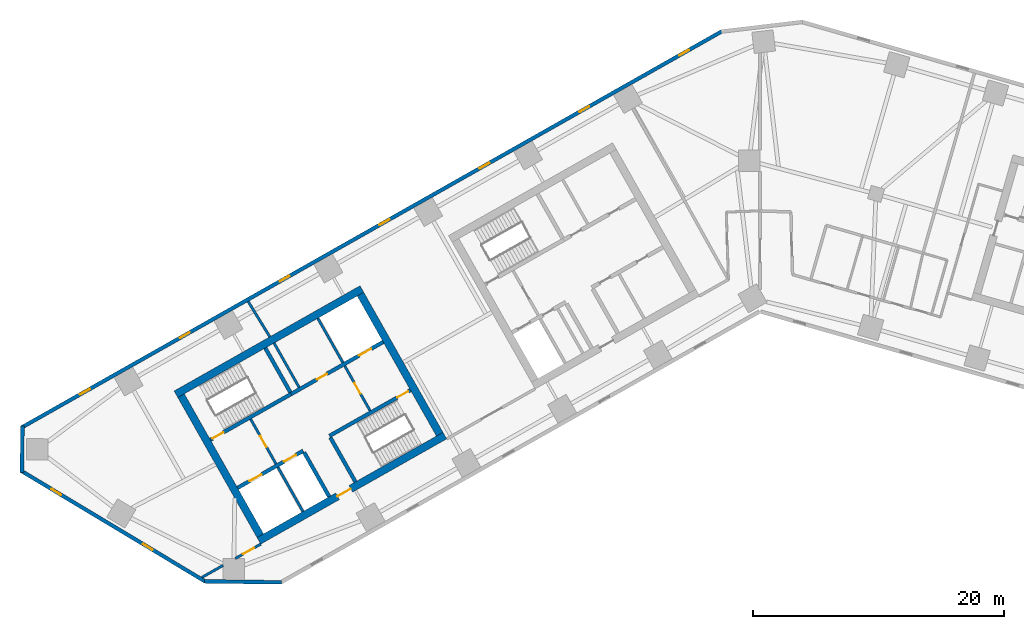
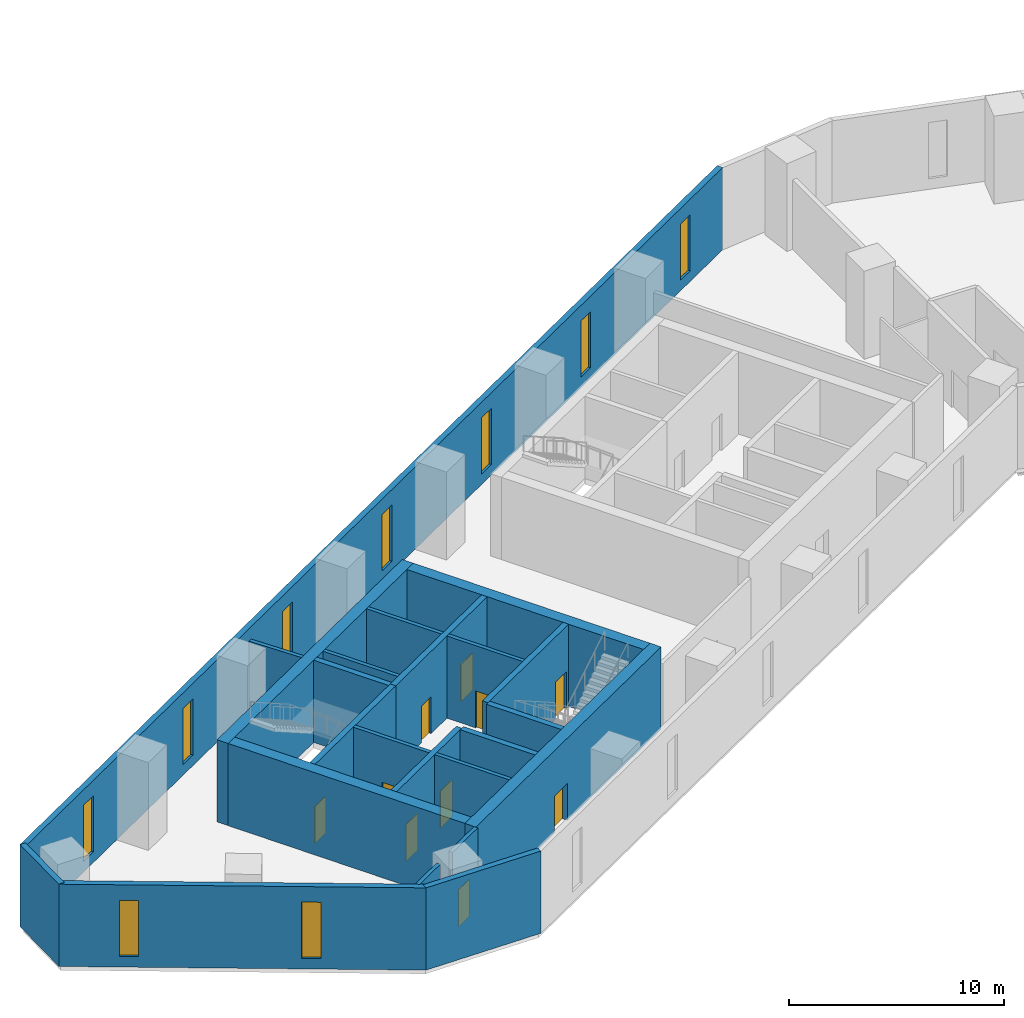
# One storey, part 3 of 10: 23 walls, 10 doors, 9 windows, 19 openings.
"""IFC4 building model written with IfcOpenShell, lengths in metres."""

from ifc_helpers import new_model, si_unit, direction, frame, frame_2d, origin, place, context, subcontext, project, spatial, rectangle, extrude, material, layer, layer_set, type_object, element, fill, save


model = new_model("IFC4")

# Units and contexts
model_context = context("Model", 3, precision=1e-05, world=origin(), true_north=direction((0.0, 1.0)))
body_context = subcontext(model_context, "Body", "Model", "MODEL_VIEW")
ifc_project = project(units=[si_unit("LENGTHUNIT", "METRE"), si_unit("AREAUNIT", "SQUARE_METRE"), si_unit("VOLUMEUNIT", "CUBIC_METRE"), si_unit("PLANEANGLEUNIT", "RADIAN"), si_unit("MASSUNIT", "GRAM", prefix="KILO")], contexts=[model_context])

# Site, building, storey
site_placement = place(None, origin())
site = spatial("IfcSite", under=ifc_project, at=site_placement, CompositionType="ELEMENT")
building_placement = place(site_placement, origin())
building = spatial("IfcBuilding", under=site, at=building_placement, Name="Binnacle Exchange Tower", CompositionType="ELEMENT")
storey_placement = place(building_placement, frame((0.0, 0.0, 61.5)))
storey = spatial("IfcBuildingStorey", under=building, at=storey_placement, Name="L12", CompositionType="ELEMENT", Elevation=61.5)

# Wall, openings, doors
ifc_material_1 = material(Name="Concrete C70/85", Category="concrete")
ifc_layer_1 = layer(ifc_material_1, 0.300048828125)
ifc_layer_set_1 = layer_set([ifc_layer_1], Name="Core wall - front 300")
wall_type_1 = type_object("IfcWallType", Name="Core wall - front 300", PredefinedType="SOLIDWALL", material=ifc_layer_set_1)
wall_1_placement = place(storey_placement, frame((-41.555908203125, 33.9609375, 0.0), z_axis=(0.0, 0.0, 1.0), x_axis=(0.870343731308, 0.492444706919, 0.0)))
wall_1 = element("IfcWall", 1, at=wall_1_placement, inside=storey, type_object=wall_type_1, Name="Core wall CRWA2", PredefinedType="SOLIDWALL", context=body_context, shape_type="SweptSolid", body=[
    extrude(rectangle(XDim=5.999755859375, YDim=0.300048828125, at=frame_2d((3.0, 0.0))), origin(), (0.0, 0.0, 1.0), 4.679931640625),
])
opening_1_placement = place(wall_1_placement, frame((1.099853515625, 0.0, 0.0)))
opening_1 = element("IfcOpeningElement", 2, at=opening_1_placement, cuts=wall_1, Name="Opening LD12", PredefinedType="OPENING", context=body_context, shape_type="SweptSolid", body=[
    extrude(rectangle(XDim=1.10009765625, YDim=2.10009765625, at=frame_2d((0.550048828125, 1.050048828125))), frame((0.0, 0.159912109375, 0.0), z_axis=(0.0, -1.0, 0.0), x_axis=(1.0, 0.0, 0.0)), (0.0, 0.0, 1.0), 0.320068359375),
])
opening_2_placement = place(wall_1_placement, frame((4.25, 0.0, 0.0)))
opening_2 = element("IfcOpeningElement", 3, at=opening_2_placement, cuts=wall_1, Name="Opening LD8", PredefinedType="OPENING", context=body_context, shape_type="SweptSolid", body=[
    extrude(rectangle(XDim=1.10009765625, YDim=2.10009765625, at=frame_2d((0.550048828125, 1.050048828125))), frame((0.0, 0.159912109375, 0.0), z_axis=(0.0, -1.0, 0.0), x_axis=(1.0, 0.0, 0.0)), (0.0, 0.0, 1.0), 0.320068359375),
])
ifc_material_2 = material(Name="Steel door leaf", Category="steel")
door_type_1 = type_object("IfcDoorType", Name="Fire door - lift landing 1100", OperationType="NOTDEFINED", PredefinedType="DOOR", material=ifc_material_2)
door_1_placement = place(opening_1_placement, origin())
door_1 = element("IfcDoor", 4, at=door_1_placement, inside=storey, type_object=door_type_1, Name="Landing door LD12 L12", OperationType="DOUBLE_DOOR_SLIDING", OverallHeight=2.10009765625, OverallWidth=1.10009765625, PredefinedType="DOOR", context=body_context, shape_type="SweptSolid", body=[
    extrude(rectangle(XDim=1.10009765625, YDim=2.10009765625, at=frame_2d((0.550048828125, 1.050048828125))), frame((0.0, 0.02490234375, 0.0), z_axis=(0.0, -1.0, 0.0), x_axis=(1.0, 0.0, 0.0)), (0.0, 0.0, 1.0), 0.050048828125),
])
fill(opening_1, door_1)
door_2_placement = place(opening_2_placement, origin())
door_2 = element("IfcDoor", 5, at=door_2_placement, inside=storey, type_object=door_type_1, Name="Landing door LD8 L12", OperationType="DOUBLE_DOOR_SLIDING", OverallHeight=2.10009765625, OverallWidth=1.10009765625, PredefinedType="DOOR", context=body_context, shape_type="SweptSolid", body=[
    extrude(rectangle(XDim=1.10009765625, YDim=2.10009765625, at=frame_2d((0.550048828125, 1.050048828125))), frame((0.0, 0.02490234375, 0.0), z_axis=(0.0, -1.0, 0.0), x_axis=(1.0, 0.0, 0.0)), (0.0, 0.0, 1.0), 0.050048828125),
])
fill(opening_2, door_2)

wall_2_placement = place(storey_placement, frame((-37.281982421875, 41.4345703125, 0.0), z_axis=(0.0, 0.0, 1.0), x_axis=(0.870356516133, 0.492422110414, 0.0)))
wall_2 = element("IfcWall", 6, at=wall_2_placement, inside=storey, type_object=wall_type_1, Name="Core wall CRWA5", PredefinedType="SOLIDWALL", context=body_context, shape_type="SweptSolid", body=[
    extrude(rectangle(XDim=8.399658203125, YDim=0.300048828125, at=frame_2d((4.19970703125, 0.0))), origin(), (0.0, 0.0, 1.0), 4.679931640625),
])
opening_3_placement = place(wall_2_placement, frame((6.199951171875, 0.0, 0.0)))
opening_3 = element("IfcOpeningElement", 7, at=opening_3_placement, cuts=wall_2, Name="Opening LD13", PredefinedType="OPENING", context=body_context, shape_type="SweptSolid", body=[
    extrude(rectangle(XDim=1.10009765625, YDim=2.10009765625, at=frame_2d((0.550048828125, 1.050048828125))), frame((0.0, 0.159912109375, 0.0), z_axis=(0.0, -1.0, 0.0), x_axis=(1.0, 0.0, 0.0)), (0.0, 0.0, 1.0), 0.320068359375),
])
opening_4_placement = place(wall_2_placement, frame((2.35009765625, 0.0, 0.0)))
opening_4 = element("IfcOpeningElement", 8, at=opening_4_placement, cuts=wall_2, Name="Opening DA10", PredefinedType="OPENING", context=body_context, shape_type="SweptSolid", body=[
    extrude(rectangle(XDim=0.89990234375, YDim=2.10009765625, at=frame_2d((0.449951171875, 1.050048828125))), frame((0.0, 0.159912109375, 0.0), z_axis=(0.0, -1.0, 0.0), x_axis=(1.0, 0.0, 0.0)), (0.0, 0.0, 1.0), 0.320068359375),
])
door_3_placement = place(opening_3_placement, origin())
door_3 = element("IfcDoor", 9, at=door_3_placement, inside=storey, type_object=door_type_1, Name="Landing door LD13 L12", OperationType="DOUBLE_DOOR_SLIDING", OverallHeight=2.10009765625, OverallWidth=1.10009765625, PredefinedType="DOOR", context=body_context, shape_type="SweptSolid", body=[
    extrude(rectangle(XDim=1.10009765625, YDim=2.10009765625, at=frame_2d((0.550048828125, 1.050048828125))), frame((0.0, 0.02490234375, 0.0), z_axis=(0.0, -1.0, 0.0), x_axis=(1.0, 0.0, 0.0)), (0.0, 0.0, 1.0), 0.050048828125),
])
fill(opening_3, door_3)
door_type_2 = type_object("IfcDoorType", Name="Fire door 900", OperationType="NOTDEFINED", PredefinedType="DOOR", material=ifc_material_2)
door_4_placement = place(opening_4_placement, origin())
door_4 = element("IfcDoor", 10, at=door_4_placement, inside=storey, type_object=door_type_2, Name="Core room door EQUIPMENT STORE", OperationType="SINGLE_SWING_LEFT", OverallHeight=2.10009765625, OverallWidth=0.89990234375, PredefinedType="DOOR", context=body_context, shape_type="SweptSolid", body=[
    extrude(rectangle(XDim=0.89990234375, YDim=2.10009765625, at=frame_2d((0.449951171875, 1.050048828125))), frame((0.0, 0.02490234375, 0.0), z_axis=(0.0, -1.0, 0.0), x_axis=(1.0, 0.0, 0.0)), (0.0, 0.0, 1.0), 0.050048828125),
])
fill(opening_4, door_4)

# Wall
wall_3_placement = place(storey_placement, frame((-36.260009765625, 36.784912109375, 0.0), z_axis=(0.0, 0.0, 1.0), x_axis=(0.492440575896, -0.870346068648, 0.0)))
element("IfcWall", 11, at=wall_3_placement, inside=storey, type_object=wall_type_1, Name="Core wall CRWA13", PredefinedType="SOLIDWALL", context=body_context, shape_type="SweptSolid", body=[
    extrude(rectangle(XDim=4.050048828125, YDim=0.300048828125, at=frame_2d((2.02490234375, 0.0))), origin(), (0.0, 0.0, 1.0), 4.679931640625),
])

# Wall, opening, door
ifc_layer_2 = layer(ifc_material_1, 0.60009765625)
ifc_layer_set_2 = layer_set([ifc_layer_2], Name="Core wall - outer 600")
wall_type_2 = type_object("IfcWallType", Name="Core wall - outer 600", PredefinedType="SOLIDWALL", material=ifc_layer_set_2)
wall_4_placement = place(storey_placement, frame((-39.8623046875, 29.748779296875, 0.0), z_axis=(0.0, 0.0, 1.0), x_axis=(0.870350116061, 0.492433422375, 0.0)))
wall_4 = element("IfcWall", 12, at=wall_4_placement, inside=storey, type_object=wall_type_2, Name="Core wall CRWA1", PredefinedType="SOLIDWALL", context=body_context, shape_type="SweptSolid", body=[
    extrude(rectangle(XDim=17.0, YDim=0.60009765625, at=frame_2d((8.5, 0.0))), origin(), (0.0, 0.0, 1.0), 4.679931640625),
])
opening_5_placement = place(wall_4_placement, frame((7.199951171875, 0.0, 0.0)))
opening_5 = element("IfcOpeningElement", 13, at=opening_5_placement, cuts=wall_4, Name="Opening DA7", PredefinedType="OPENING", context=body_context, shape_type="SweptSolid", body=[
    extrude(rectangle(XDim=1.199951171875, YDim=2.10009765625, at=frame_2d((0.60009765625, 1.050048828125))), frame((0.0, 0.31005859375, 0.0), z_axis=(0.0, -1.0, 0.0), x_axis=(1.0, 0.0, 0.0)), (0.0, 0.0, 1.0), 0.6201171875),
])
door_type_3 = type_object("IfcDoorType", Name="Fire door 1200", OperationType="NOTDEFINED", PredefinedType="DOOR", material=ifc_material_2)
door_5_placement = place(opening_5_placement, frame((1.199951171875, 0.0, 0.0), z_axis=(0.0, 0.0, 1.0), x_axis=(-1.0, 0.0, 0.0)))
door_5 = element("IfcDoor", 14, at=door_5_placement, inside=storey, type_object=door_type_3, Name="Lift lobby entrance door core A", OperationType="SINGLE_SWING_RIGHT", OverallHeight=2.10009765625, OverallWidth=1.199951171875, PredefinedType="DOOR", context=body_context, shape_type="SweptSolid", body=[
    extrude(rectangle(XDim=1.199951171875, YDim=2.10009765625, at=frame_2d((0.60009765625, 1.050048828125))), frame((0.0, 0.02490234375, 0.0), z_axis=(0.0, -1.0, 0.0), x_axis=(1.0, 0.0, 0.0)), (0.0, 0.0, 1.0), 0.050048828125),
])
fill(opening_5, door_5)

# Walls
wall_5_placement = place(storey_placement, frame((-46.460693359375, 41.41162109375, 0.0), z_axis=(0.0, 0.0, 1.0), x_axis=(0.870350116061, 0.492433422375, 0.0)))
element("IfcWall", 15, at=wall_5_placement, inside=storey, type_object=wall_type_2, Name="Core wall CRWA6", PredefinedType="SOLIDWALL", context=body_context, shape_type="SweptSolid", body=[
    extrude(rectangle(XDim=17.0, YDim=0.60009765625, at=frame_2d((8.5, 0.0))), origin(), (0.0, 0.0, 1.0), 4.679931640625),
])
for number, where, z_axis, x_axis, name in (
    (16, (-46.052001953125, 41.29833984375, 0.0), (0.0, 0.0, 1.0), (0.492418598281, -0.870358503186, 0.0), "Core wall CRWA7"),
    (17, (-31.7783203125, 49.3740234375, 0.0), (0.0, 0.0, 1.0), (0.492433046652, -0.870350328641, 0.0), "Core wall CRWA22"),
):
    element("IfcWall", number, at=place(storey_placement, frame(where, z_axis=z_axis, x_axis=x_axis)), inside=storey, type_object=wall_type_2, Name=name, PredefinedType="SOLIDWALL", context=body_context, shape_type="SweptSolid", body=[
        extrude(rectangle(XDim=12.800048828125, YDim=0.60009765625, at=frame_2d((6.39990234375, 0.0))), origin(), (0.0, 0.0, 1.0), 4.679931640625),
    ])

# Wall, opening, door
ifc_layer_3 = layer(ifc_material_1, 0.300048828125)
ifc_layer_set_3 = layer_set([ifc_layer_3], Name="Core wall - stair 300")
wall_type_3 = type_object("IfcWallType", Name="Core wall - stair 300", PredefinedType="SOLIDWALL", material=ifc_layer_set_3)
wall_6_placement = place(storey_placement, frame((-34.2451171875, 38.097412109375, 0.0), z_axis=(0.0, 0.0, 1.0), x_axis=(0.870364910201, 0.492407273597, 0.0)))
wall_6 = element("IfcWall", 18, at=wall_6_placement, inside=storey, type_object=wall_type_3, Name="Core wall CRWA3", PredefinedType="SOLIDWALL", context=body_context, shape_type="SweptSolid", body=[
    extrude(rectangle(XDim=7.39990234375, YDim=0.300048828125, at=frame_2d((3.699951171875, 0.0))), origin(), (0.0, 0.0, 1.0), 4.679931640625),
])
opening_6_placement = place(wall_6_placement, frame((6.199951171875, 0.0, 0.0)))
opening_6 = element("IfcOpeningElement", 19, at=opening_6_placement, cuts=wall_6, Name="Opening DA2", PredefinedType="OPENING", context=body_context, shape_type="SweptSolid", body=[
    extrude(rectangle(XDim=1.0, YDim=2.10009765625, at=frame_2d((0.5, 1.050048828125))), frame((0.0, 0.159912109375, 0.0), z_axis=(0.0, -1.0, 0.0), x_axis=(1.0, 0.0, 0.0)), (0.0, 0.0, 1.0), 0.320068359375),
])
door_type_4 = type_object("IfcDoorType", Name="Fire door 1000", OperationType="NOTDEFINED", PredefinedType="DOOR", material=ifc_material_2)
door_6_placement = place(opening_6_placement, frame((1.0, 0.0, 0.0), z_axis=(0.0, 0.0, 1.0), x_axis=(-1.0, 0.0, 0.0)))
door_6 = element("IfcDoor", 20, at=door_6_placement, inside=storey, type_object=door_type_4, Name="Stair door ST-A2", OperationType="SINGLE_SWING_LEFT", OverallHeight=2.10009765625, OverallWidth=1.0, PredefinedType="DOOR", context=body_context, shape_type="SweptSolid", body=[
    extrude(rectangle(XDim=1.0, YDim=2.10009765625, at=frame_2d((0.5, 1.050048828125))), frame((0.0, 0.02490234375, 0.0), z_axis=(0.0, -1.0, 0.0), x_axis=(1.0, 0.0, 0.0)), (0.0, 0.0, 1.0), 0.050048828125),
])
fill(opening_6, door_6)

wall_7_placement = place(storey_placement, frame((-43.72265625, 37.79052734375, 0.0), z_axis=(0.0, 0.0, 1.0), x_axis=(0.87035077051, 0.49243226567, 0.0)))
wall_7 = element("IfcWall", 21, at=wall_7_placement, inside=storey, type_object=wall_type_3, Name="Core wall CRWA4", PredefinedType="SOLIDWALL", context=body_context, shape_type="SweptSolid", body=[
    extrude(rectangle(XDim=7.400146484375, YDim=0.300048828125, at=frame_2d((3.7001953125, 0.0))), origin(), (0.0, 0.0, 1.0), 4.679931640625),
])
opening_7_placement = place(wall_7_placement, frame((0.199951171875, 0.0, 0.0)))
opening_7 = element("IfcOpeningElement", 22, at=opening_7_placement, cuts=wall_7, Name="Opening DA1", PredefinedType="OPENING", context=body_context, shape_type="SweptSolid", body=[
    extrude(rectangle(XDim=1.0, YDim=2.10009765625, at=frame_2d((0.5, 1.050048828125))), frame((0.0, 0.159912109375, 0.0), z_axis=(0.0, -1.0, 0.0), x_axis=(1.0, 0.0, 0.0)), (0.0, 0.0, 1.0), 0.320068359375),
])
door_7_placement = place(opening_7_placement, origin())
door_7 = element("IfcDoor", 23, at=door_7_placement, inside=storey, type_object=door_type_4, Name="Stair door ST-A1", OperationType="SINGLE_SWING_LEFT", OverallHeight=2.10009765625, OverallWidth=1.0, PredefinedType="DOOR", context=body_context, shape_type="SweptSolid", body=[
    extrude(rectangle(XDim=1.0, YDim=2.10009765625, at=frame_2d((0.5, 1.050048828125))), frame((0.0, 0.02490234375, 0.0), z_axis=(0.0, -1.0, 0.0), x_axis=(1.0, 0.0, 0.0)), (0.0, 0.0, 1.0), 0.050048828125),
])
fill(opening_7, door_7)

# Walls
wall_8_placement = place(storey_placement, frame((-39.350341796875, 45.090087890625, 0.0), z_axis=(0.0, 0.0, 1.0), x_axis=(0.49241474071, -0.870360685654, 0.0)))
element("IfcWall", 24, at=wall_8_placement, inside=storey, type_object=wall_type_3, Name="Core wall CRWA14", PredefinedType="SOLIDWALL", context=body_context, shape_type="SweptSolid", body=[
    extrude(rectangle(XDim=4.05029296875, YDim=0.300048828125, at=frame_2d((2.025146484375, 0.0))), origin(), (0.0, 0.0, 1.0), 4.679931640625),
])
wall_9_placement = place(storey_placement, frame((-34.171142578125, 37.966796875, 0.0), z_axis=(0.0, 0.0, 1.0), x_axis=(0.492394910396, -0.870371904542, 0.0)))
element("IfcWall", 25, at=wall_9_placement, inside=storey, type_object=wall_type_3, Name="Core wall CRWA16", PredefinedType="SOLIDWALL", context=body_context, shape_type="SweptSolid", body=[
    extrude(rectangle(XDim=4.0498046875, YDim=0.300048828125, at=frame_2d((2.02490234375, 0.0))), origin(), (0.0, 0.0, 1.0), 4.679931640625),
])

# Wall, openings, windows
ifc_material_3 = material(Name="Bronze aluminium cladding", Category="aluminium")
ifc_layer_4 = layer(ifc_material_3, 0.300048828125)
ifc_layer_set_4 = layer_set([ifc_layer_4], Name="External wall - spandrel 300")
wall_type_4 = type_object("IfcWallType", Name="External wall - spandrel 300", PredefinedType="STANDARD", material=ifc_layer_set_4)
wall_10_placement = place(storey_placement, frame((-58.744873046875, 38.763671875, 0.0), z_axis=(0.0, 0.0, 1.0), x_axis=(0.870355811726, 0.492423355453, 0.0)))
wall_10 = element("IfcWall", 26, at=wall_10_placement, inside=storey, type_object=wall_type_4, Name="External wall EW-F03 L12", PredefinedType="STANDARD", context=body_context, shape_type="SweptSolid", body=[
    extrude(rectangle(XDim=64.025390625, YDim=0.300048828125, at=frame_2d((32.0126953125, 0.0))), origin(), (0.0, 0.0, 1.0), 4.679931640625),
])
opening_8_placement = place(wall_10_placement, frame((60.12158203125, 0.0, 0.60009765625)))
opening_8 = element("IfcOpeningElement", 27, at=opening_8_placement, cuts=wall_10, Name="Opening WS1", PredefinedType="OPENING", context=body_context, shape_type="SweptSolid", body=[
    extrude(rectangle(XDim=0.89990234375, YDim=3.199951171875, at=frame_2d((0.449951171875, 1.60009765625))), frame((0.0, 0.159912109375, 0.0), z_axis=(0.0, -1.0, 0.0), x_axis=(1.0, 0.0, 0.0)), (0.0, 0.0, 1.0), 0.320068359375),
])
opening_9_placement = place(wall_10_placement, frame((50.99169921875, 0.0, 0.60009765625)))
opening_9 = element("IfcOpeningElement", 28, at=opening_9_placement, cuts=wall_10, Name="Opening WS1", PredefinedType="OPENING", context=body_context, shape_type="SweptSolid", body=[
    extrude(rectangle(XDim=0.89990234375, YDim=3.199951171875, at=frame_2d((0.449951171875, 1.60009765625))), frame((0.0, 0.159912109375, 0.0), z_axis=(0.0, -1.0, 0.0), x_axis=(1.0, 0.0, 0.0)), (0.0, 0.0, 1.0), 0.320068359375),
])
opening_10_placement = place(wall_10_placement, frame((41.86181640625, 0.0, 0.60009765625)))
opening_10 = element("IfcOpeningElement", 29, at=opening_10_placement, cuts=wall_10, Name="Opening WS1", PredefinedType="OPENING", context=body_context, shape_type="SweptSolid", body=[
    extrude(rectangle(XDim=0.89990234375, YDim=3.199951171875, at=frame_2d((0.449951171875, 1.60009765625))), frame((0.0, 0.159912109375, 0.0), z_axis=(0.0, -1.0, 0.0), x_axis=(1.0, 0.0, 0.0)), (0.0, 0.0, 1.0), 0.320068359375),
])
opening_11_placement = place(wall_10_placement, frame((32.73193359375, 0.0, 0.60009765625)))
opening_11 = element("IfcOpeningElement", 30, at=opening_11_placement, cuts=wall_10, Name="Opening WS1", PredefinedType="OPENING", context=body_context, shape_type="SweptSolid", body=[
    extrude(rectangle(XDim=0.89990234375, YDim=3.199951171875, at=frame_2d((0.449951171875, 1.60009765625))), frame((0.0, 0.159912109375, 0.0), z_axis=(0.0, -1.0, 0.0), x_axis=(1.0, 0.0, 0.0)), (0.0, 0.0, 1.0), 0.320068359375),
])
opening_12_placement = place(wall_10_placement, frame((23.60205078125, 0.0, 0.60009765625)))
opening_12 = element("IfcOpeningElement", 31, at=opening_12_placement, cuts=wall_10, Name="Opening WS1", PredefinedType="OPENING", context=body_context, shape_type="SweptSolid", body=[
    extrude(rectangle(XDim=0.89990234375, YDim=3.199951171875, at=frame_2d((0.449951171875, 1.60009765625))), frame((0.0, 0.159912109375, 0.0), z_axis=(0.0, -1.0, 0.0), x_axis=(1.0, 0.0, 0.0)), (0.0, 0.0, 1.0), 0.320068359375),
])
opening_13_placement = place(wall_10_placement, frame((14.47216796875, 0.0, 0.60009765625)))
opening_13 = element("IfcOpeningElement", 32, at=opening_13_placement, cuts=wall_10, Name="Opening WS1", PredefinedType="OPENING", context=body_context, shape_type="SweptSolid", body=[
    extrude(rectangle(XDim=0.89990234375, YDim=3.199951171875, at=frame_2d((0.449951171875, 1.60009765625))), frame((0.0, 0.159912109375, 0.0), z_axis=(0.0, -1.0, 0.0), x_axis=(1.0, 0.0, 0.0)), (0.0, 0.0, 1.0), 0.320068359375),
])
opening_14_placement = place(wall_10_placement, frame((5.34228515625, 0.0, 0.60009765625)))
opening_14 = element("IfcOpeningElement", 33, at=opening_14_placement, cuts=wall_10, Name="Opening WS1", PredefinedType="OPENING", context=body_context, shape_type="SweptSolid", body=[
    extrude(rectangle(XDim=0.89990234375, YDim=3.199951171875, at=frame_2d((0.449951171875, 1.60009765625))), frame((0.0, 0.159912109375, 0.0), z_axis=(0.0, -1.0, 0.0), x_axis=(1.0, 0.0, 0.0)), (0.0, 0.0, 1.0), 0.320068359375),
])
ifc_material_4 = material(Name="Bronze anodised aluminium frame", Category="aluminium")
window_type = type_object("IfcWindowType", Name="WS1 WINDOW 900x3200", PartitioningType="SINGLE_PANEL", PredefinedType="WINDOW", material=ifc_material_4)
window_1_placement = place(opening_8_placement, origin())
window_1 = element("IfcWindow", 34, at=window_1_placement, inside=storey, type_object=window_type, Name="Window WS1 L12", OverallHeight=3.199951171875, OverallWidth=0.89990234375, PartitioningType="SINGLE_PANEL", PredefinedType="WINDOW", context=body_context, shape_type="SweptSolid", body=[
    extrude(rectangle(XDim=0.89990234375, YDim=3.199951171875, at=frame_2d((0.449951171875, 1.60009765625))), frame((0.0, 0.030029296875, 0.0), z_axis=(0.0, -1.0, 0.0), x_axis=(1.0, 0.0, 0.0)), (0.0, 0.0, 1.0), 0.06005859375),
])
fill(opening_8, window_1)
window_2_placement = place(opening_9_placement, origin())
window_2 = element("IfcWindow", 35, at=window_2_placement, inside=storey, type_object=window_type, Name="Window WS1 L12", OverallHeight=3.199951171875, OverallWidth=0.89990234375, PartitioningType="SINGLE_PANEL", PredefinedType="WINDOW", context=body_context, shape_type="SweptSolid", body=[
    extrude(rectangle(XDim=0.89990234375, YDim=3.199951171875, at=frame_2d((0.449951171875, 1.60009765625))), frame((0.0, 0.030029296875, 0.0), z_axis=(0.0, -1.0, 0.0), x_axis=(1.0, 0.0, 0.0)), (0.0, 0.0, 1.0), 0.06005859375),
])
fill(opening_9, window_2)
window_3_placement = place(opening_10_placement, origin())
window_3 = element("IfcWindow", 36, at=window_3_placement, inside=storey, type_object=window_type, Name="Window WS1 L12", OverallHeight=3.199951171875, OverallWidth=0.89990234375, PartitioningType="SINGLE_PANEL", PredefinedType="WINDOW", context=body_context, shape_type="SweptSolid", body=[
    extrude(rectangle(XDim=0.89990234375, YDim=3.199951171875, at=frame_2d((0.449951171875, 1.60009765625))), frame((0.0, 0.030029296875, 0.0), z_axis=(0.0, -1.0, 0.0), x_axis=(1.0, 0.0, 0.0)), (0.0, 0.0, 1.0), 0.06005859375),
])
fill(opening_10, window_3)
window_4_placement = place(opening_11_placement, origin())
window_4 = element("IfcWindow", 37, at=window_4_placement, inside=storey, type_object=window_type, Name="Window WS1 L12", OverallHeight=3.199951171875, OverallWidth=0.89990234375, PartitioningType="SINGLE_PANEL", PredefinedType="WINDOW", context=body_context, shape_type="SweptSolid", body=[
    extrude(rectangle(XDim=0.89990234375, YDim=3.199951171875, at=frame_2d((0.449951171875, 1.60009765625))), frame((0.0, 0.030029296875, 0.0), z_axis=(0.0, -1.0, 0.0), x_axis=(1.0, 0.0, 0.0)), (0.0, 0.0, 1.0), 0.06005859375),
])
fill(opening_11, window_4)
window_5_placement = place(opening_12_placement, origin())
window_5 = element("IfcWindow", 38, at=window_5_placement, inside=storey, type_object=window_type, Name="Window WS1 L12", OverallHeight=3.199951171875, OverallWidth=0.89990234375, PartitioningType="SINGLE_PANEL", PredefinedType="WINDOW", context=body_context, shape_type="SweptSolid", body=[
    extrude(rectangle(XDim=0.89990234375, YDim=3.199951171875, at=frame_2d((0.449951171875, 1.60009765625))), frame((0.0, 0.030029296875, 0.0), z_axis=(0.0, -1.0, 0.0), x_axis=(1.0, 0.0, 0.0)), (0.0, 0.0, 1.0), 0.06005859375),
])
fill(opening_12, window_5)
window_6_placement = place(opening_13_placement, origin())
window_6 = element("IfcWindow", 39, at=window_6_placement, inside=storey, type_object=window_type, Name="Window WS1 L12", OverallHeight=3.199951171875, OverallWidth=0.89990234375, PartitioningType="SINGLE_PANEL", PredefinedType="WINDOW", context=body_context, shape_type="SweptSolid", body=[
    extrude(rectangle(XDim=0.89990234375, YDim=3.199951171875, at=frame_2d((0.449951171875, 1.60009765625))), frame((0.0, 0.030029296875, 0.0), z_axis=(0.0, -1.0, 0.0), x_axis=(1.0, 0.0, 0.0)), (0.0, 0.0, 1.0), 0.06005859375),
])
fill(opening_13, window_6)
window_7_placement = place(opening_14_placement, origin())
window_7 = element("IfcWindow", 40, at=window_7_placement, inside=storey, type_object=window_type, Name="Window WS1 L12", OverallHeight=3.199951171875, OverallWidth=0.89990234375, PartitioningType="SINGLE_PANEL", PredefinedType="WINDOW", context=body_context, shape_type="SweptSolid", body=[
    extrude(rectangle(XDim=0.89990234375, YDim=3.199951171875, at=frame_2d((0.449951171875, 1.60009765625))), frame((0.0, 0.030029296875, 0.0), z_axis=(0.0, -1.0, 0.0), x_axis=(1.0, 0.0, 0.0)), (0.0, 0.0, 1.0), 0.06005859375),
])
fill(opening_14, window_7)

# Wall
wall_11_placement = place(storey_placement, frame((-58.717041015625, 35.19384765625, 0.0), z_axis=(0.0, 0.0, 1.0), x_axis=(0.013069053407, 0.999914596275, 0.0)))
element("IfcWall", 41, at=wall_11_placement, inside=storey, type_object=wall_type_4, Name="External wall EW-F04 L12", PredefinedType="STANDARD", context=body_context, shape_type="SweptSolid", body=[
    extrude(rectangle(XDim=3.69873046875, YDim=0.300048828125, at=frame_2d((1.849365234375, 0.0))), origin(), (0.0, 0.0, 1.0), 4.679931640625),
])

# Wall, openings, windows
wall_12_placement = place(storey_placement, frame((-44.109375, 26.503662109375, 0.0), z_axis=(0.0, 0.0, 1.0), x_axis=(-0.857169502585, 0.515034410344, 0.0)))
wall_12 = element("IfcWall", 42, at=wall_12_placement, inside=storey, type_object=wall_type_4, Name="External wall EW-F05 L12", PredefinedType="STANDARD", context=body_context, shape_type="SweptSolid", body=[
    extrude(rectangle(XDim=17.126708984375, YDim=0.300048828125, at=frame_2d((8.5634765625, 0.0))), origin(), (0.0, 0.0, 1.0), 4.679931640625),
])
opening_15_placement = place(wall_12_placement, frame((13.403076171875, 0.0, 0.60009765625)))
opening_15 = element("IfcOpeningElement", 43, at=opening_15_placement, cuts=wall_12, Name="Opening WS1", PredefinedType="OPENING", context=body_context, shape_type="SweptSolid", body=[
    extrude(rectangle(XDim=0.89990234375, YDim=3.199951171875, at=frame_2d((0.449951171875, 1.60009765625))), frame((0.0, 0.159912109375, 0.0), z_axis=(0.0, -1.0, 0.0), x_axis=(1.0, 0.0, 0.0)), (0.0, 0.0, 1.0), 0.320068359375),
])
opening_16_placement = place(wall_12_placement, frame((4.903076171875, 0.0, 0.60009765625)))
opening_16 = element("IfcOpeningElement", 44, at=opening_16_placement, cuts=wall_12, Name="Opening WS1", PredefinedType="OPENING", context=body_context, shape_type="SweptSolid", body=[
    extrude(rectangle(XDim=0.89990234375, YDim=3.199951171875, at=frame_2d((0.449951171875, 1.60009765625))), frame((0.0, 0.159912109375, 0.0), z_axis=(0.0, -1.0, 0.0), x_axis=(1.0, 0.0, 0.0)), (0.0, 0.0, 1.0), 0.320068359375),
])
window_8_placement = place(opening_15_placement, origin())
window_8 = element("IfcWindow", 45, at=window_8_placement, inside=storey, type_object=window_type, Name="Window WS1 L12", OverallHeight=3.199951171875, OverallWidth=0.89990234375, PartitioningType="SINGLE_PANEL", PredefinedType="WINDOW", context=body_context, shape_type="SweptSolid", body=[
    extrude(rectangle(XDim=0.89990234375, YDim=3.199951171875, at=frame_2d((0.449951171875, 1.60009765625))), frame((0.0, 0.030029296875, 0.0), z_axis=(0.0, -1.0, 0.0), x_axis=(1.0, 0.0, 0.0)), (0.0, 0.0, 1.0), 0.06005859375),
])
fill(opening_15, window_8)
window_9_placement = place(opening_16_placement, origin())
window_9 = element("IfcWindow", 46, at=window_9_placement, inside=storey, type_object=window_type, Name="Window WS1 L12", OverallHeight=3.199951171875, OverallWidth=0.89990234375, PartitioningType="SINGLE_PANEL", PredefinedType="WINDOW", context=body_context, shape_type="SweptSolid", body=[
    extrude(rectangle(XDim=0.89990234375, YDim=3.199951171875, at=frame_2d((0.449951171875, 1.60009765625))), frame((0.0, 0.030029296875, 0.0), z_axis=(0.0, -1.0, 0.0), x_axis=(1.0, 0.0, 0.0)), (0.0, 0.0, 1.0), 0.06005859375),
])
fill(opening_16, window_9)

# Walls
wall_13_placement = place(storey_placement, frame((-38.057373046875, 26.44482421875, 0.0), z_axis=(0.0, 0.0, 1.0), x_axis=(-0.999914086342, 0.013108010296, 0.0)))
element("IfcWall", 47, at=wall_13_placement, inside=storey, type_object=wall_type_4, Name="External wall EW-F06 L12", PredefinedType="STANDARD", context=body_context, shape_type="SweptSolid", body=[
    extrude(rectangle(XDim=6.127685546875, YDim=0.300048828125, at=frame_2d((3.06396484375, 0.0))), origin(), (0.0, 0.0, 1.0), 4.679931640625),
])
ifc_material_5 = material(Name="Masonry block wall", Category="masonry")
ifc_layer_5 = layer(ifc_material_5, 0.199951171875)
ifc_layer_set_5 = layer_set([ifc_layer_5], Name="Fire wall - block 200")
wall_type_5 = type_object("IfcWallType", Name="Fire wall - block 200", PredefinedType="PARTITIONING", material=ifc_layer_set_5)
wall_14_placement = place(storey_placement, frame((-44.385986328125, 26.844970703125, 0.0), z_axis=(0.0, 0.0, 1.0), x_axis=(0.870226201187, 0.492652371118, 0.0)))
element("IfcWall", 48, at=wall_14_placement, inside=storey, type_object=wall_type_5, Name="Partition W01", PredefinedType="PARTITIONING", context=body_context, shape_type="SweptSolid", body=[
    extrude(rectangle(XDim=1.9326171875, YDim=0.199951171875, at=frame_2d((0.96630859375, 0.0))), origin(), (0.0, 0.0, 1.0), 4.679931640625),
])

# Wall, opening, door
wall_15_placement = place(storey_placement, frame((-41.738037109375, 28.343017578125, 0.0), z_axis=(0.0, 0.0, 1.0), x_axis=(0.870265350095, 0.492583211676, 0.0)))
wall_15 = element("IfcWall", 49, at=wall_15_placement, inside=storey, type_object=wall_type_5, Name="Partition W02", PredefinedType="PARTITIONING", context=body_context, shape_type="SweptSolid", body=[
    extrude(rectangle(XDim=2.324462890625, YDim=0.199951171875, at=frame_2d((1.162109375, 0.0))), origin(), (0.0, 0.0, 1.0), 4.679931640625),
])
opening_17_placement = place(wall_15_placement, frame((0.699951171875, 0.0, 0.0)))
opening_17 = element("IfcOpeningElement", 50, at=opening_17_placement, cuts=wall_15, Name="Opening DL11-01", PredefinedType="OPENING", context=body_context, shape_type="SweptSolid", body=[
    extrude(rectangle(XDim=1.0, YDim=2.10009765625, at=frame_2d((0.5, 1.050048828125))), frame((0.0, 0.10986328125, 0.0), z_axis=(0.0, -1.0, 0.0), x_axis=(1.0, 0.0, 0.0)), (0.0, 0.0, 1.0), 0.219970703125),
])
door_8_placement = place(opening_17_placement, origin())
door_8 = element("IfcDoor", 51, at=door_8_placement, inside=storey, type_object=door_type_4, Name="Door DL11-01", OperationType="SINGLE_SWING_RIGHT", OverallHeight=2.10009765625, OverallWidth=1.0, PredefinedType="DOOR", context=body_context, shape_type="SweptSolid", body=[
    extrude(rectangle(XDim=1.0, YDim=2.10009765625, at=frame_2d((0.5, 1.050048828125))), frame((0.0, 0.02490234375, 0.0), z_axis=(0.0, -1.0, 0.0), x_axis=(1.0, 0.0, 0.0)), (0.0, 0.0, 1.0), 0.050048828125),
])
fill(opening_17, door_8)

# Wall
wall_16_placement = place(storey_placement, frame((-40.712890625, 48.7939453125, 0.0), z_axis=(0.0, 0.0, 1.0), x_axis=(0.52165366254, -0.853157345604, 0.0)))
element("IfcWall", 52, at=wall_16_placement, inside=storey, type_object=wall_type_5, Name="Partition W03", PredefinedType="PARTITIONING", context=body_context, shape_type="SweptSolid", body=[
    extrude(rectangle(XDim=3.297119140625, YDim=0.199951171875, at=frame_2d((1.6484375, 0.0))), origin(), (0.0, 0.0, 1.0), 3.9599609375),
])

# Wall, opening, door
ifc_layer_6 = layer(ifc_material_5, 0.199951171875)
ifc_layer_set_6 = layer_set([ifc_layer_6], Name="Fire wall - vestibule 200")
wall_type_6 = type_object("IfcWallType", Name="Fire wall - vestibule 200", PredefinedType="PARTITIONING", material=ifc_layer_set_6)
wall_17_placement = place(storey_placement, frame((-40.515625, 39.4326171875, 0.0), z_axis=(0.0, 0.0, 1.0), x_axis=(0.492453559952, -0.87033872216, 0.0)))
wall_17 = element("IfcWall", 53, at=wall_17_placement, inside=storey, type_object=wall_type_6, Name="Core wall CRWA10", PredefinedType="PARTITIONING", context=body_context, shape_type="SweptSolid", body=[
    extrude(rectangle(XDim=4.099853515625, YDim=0.199951171875, at=frame_2d((2.0498046875, 0.0))), origin(), (0.0, 0.0, 1.0), 4.679931640625),
])
opening_18_placement = place(wall_17_placement, frame((1.550048828125, 0.0, 0.0)))
opening_18 = element("IfcOpeningElement", 54, at=opening_18_placement, cuts=wall_17, Name="Opening DA3", PredefinedType="OPENING", context=body_context, shape_type="SweptSolid", body=[
    extrude(rectangle(XDim=1.0, YDim=2.10009765625, at=frame_2d((0.5, 1.050048828125))), frame((0.0, 0.10986328125, 0.0), z_axis=(0.0, -1.0, 0.0), x_axis=(1.0, 0.0, 0.0)), (0.0, 0.0, 1.0), 0.219970703125),
])
door_9_placement = place(opening_18_placement, frame((1.0, 0.0, 0.0), z_axis=(0.0, 0.0, 1.0), x_axis=(-1.0, 0.0, 0.0)))
door_9 = element("IfcDoor", 55, at=door_9_placement, inside=storey, type_object=door_type_4, Name="Vestibule door VEST-W", OperationType="SINGLE_SWING_LEFT", OverallHeight=2.10009765625, OverallWidth=1.0, PredefinedType="DOOR", context=body_context, shape_type="SweptSolid", body=[
    extrude(rectangle(XDim=1.0, YDim=2.10009765625, at=frame_2d((0.5, 1.050048828125))), frame((0.0, 0.02490234375, 0.0), z_axis=(0.0, -1.0, 0.0), x_axis=(1.0, 0.0, 0.0)), (0.0, 0.0, 1.0), 0.050048828125),
])
fill(opening_18, door_9)

wall_18_placement = place(storey_placement, frame((-33.030517578125, 43.66748046875, 0.0), z_axis=(0.0, 0.0, 1.0), x_axis=(0.492408451753, -0.87036424366, 0.0)))
wall_18 = element("IfcWall", 56, at=wall_18_placement, inside=storey, type_object=wall_type_6, Name="Core wall CRWA19", PredefinedType="PARTITIONING", context=body_context, shape_type="SweptSolid", body=[
    extrude(rectangle(XDim=4.099853515625, YDim=0.199951171875, at=frame_2d((2.0498046875, 0.0))), origin(), (0.0, 0.0, 1.0), 4.679931640625),
])
opening_19_placement = place(wall_18_placement, frame((1.550048828125, 0.0, 0.0)))
opening_19 = element("IfcOpeningElement", 57, at=opening_19_placement, cuts=wall_18, Name="Opening DA4", PredefinedType="OPENING", context=body_context, shape_type="SweptSolid", body=[
    extrude(rectangle(XDim=1.0, YDim=2.10009765625, at=frame_2d((0.5, 1.050048828125))), frame((0.0, 0.10986328125, 0.0), z_axis=(0.0, -1.0, 0.0), x_axis=(1.0, 0.0, 0.0)), (0.0, 0.0, 1.0), 0.219970703125),
])
door_10_placement = place(opening_19_placement, origin())
door_10 = element("IfcDoor", 58, at=door_10_placement, inside=storey, type_object=door_type_4, Name="Vestibule door VEST-E", OperationType="SINGLE_SWING_RIGHT", OverallHeight=2.10009765625, OverallWidth=1.0, PredefinedType="DOOR", context=body_context, shape_type="SweptSolid", body=[
    extrude(rectangle(XDim=1.0, YDim=2.10009765625, at=frame_2d((0.5, 1.050048828125))), frame((0.0, 0.02490234375, 0.0), z_axis=(0.0, -1.0, 0.0), x_axis=(1.0, 0.0, 0.0)), (0.0, 0.0, 1.0), 0.050048828125),
])
fill(opening_19, door_10)

# Walls
ifc_layer_7 = layer(ifc_material_5, 0.199951171875)
ifc_layer_set_7 = layer_set([ifc_layer_7], Name="Riser wall 200")
wall_type_7 = type_object("IfcWallType", Name="Riser wall 200", PredefinedType="SOLIDWALL", material=ifc_layer_set_7)
wall_19_placement = place(storey_placement, frame((-38.654052734375, 45.48388671875, 0.0), z_axis=(0.0, 0.0, 1.0), x_axis=(0.492440575896, -0.870346068648, 0.0)))
element("IfcWall", 59, at=wall_19_placement, inside=storey, type_object=wall_type_7, Name="Core wall CRWA15", PredefinedType="SOLIDWALL", context=body_context, shape_type="SweptSolid", body=[
    extrude(rectangle(XDim=4.050048828125, YDim=0.199951171875, at=frame_2d((2.02490234375, 0.0))), origin(), (0.0, 0.0, 1.0), 4.679931640625),
])
ifc_layer_8 = layer(ifc_material_5, 0.199951171875)
ifc_layer_set_8 = layer_set([ifc_layer_8], Name="Shaft wall 200")
wall_type_8 = type_object("IfcWallType", Name="Shaft wall 200", PredefinedType="SOLIDWALL", material=ifc_layer_set_8)
wall_20_placement = place(storey_placement, frame((-38.348876953125, 35.603271484375, 0.0), z_axis=(0.0, 0.0, 1.0), x_axis=(0.49241474071, -0.870360685654, 0.0)))
element("IfcWall", 60, at=wall_20_placement, inside=storey, type_object=wall_type_8, Name="Core wall CRWA9", PredefinedType="SOLIDWALL", context=body_context, shape_type="SweptSolid", body=[
    extrude(rectangle(XDim=4.05029296875, YDim=0.199951171875, at=frame_2d((2.025146484375, 0.0))), origin(), (0.0, 0.0, 1.0), 4.679931640625),
])
wall_21_placement = place(storey_placement, frame((-35.172607421875, 47.45361328125, 0.0), z_axis=(0.0, 0.0, 1.0), x_axis=(0.492440575896, -0.870346068648, 0.0)))
element("IfcWall", 61, at=wall_21_placement, inside=storey, type_object=wall_type_8, Name="Core wall CRWA21", PredefinedType="SOLIDWALL", context=body_context, shape_type="SweptSolid", body=[
    extrude(rectangle(XDim=4.050048828125, YDim=0.199951171875, at=frame_2d((2.02490234375, 0.0))), origin(), (0.0, 0.0, 1.0), 4.679931640625),
])

save(model, "model.ifc")
